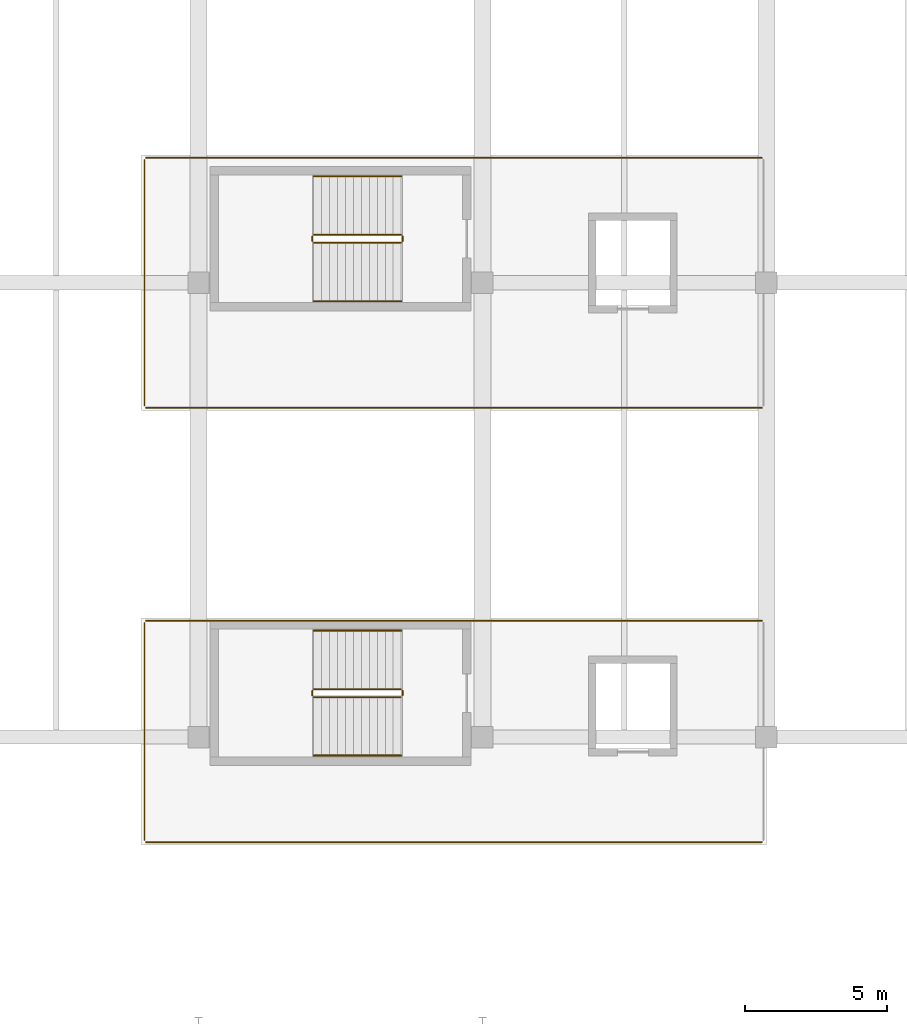
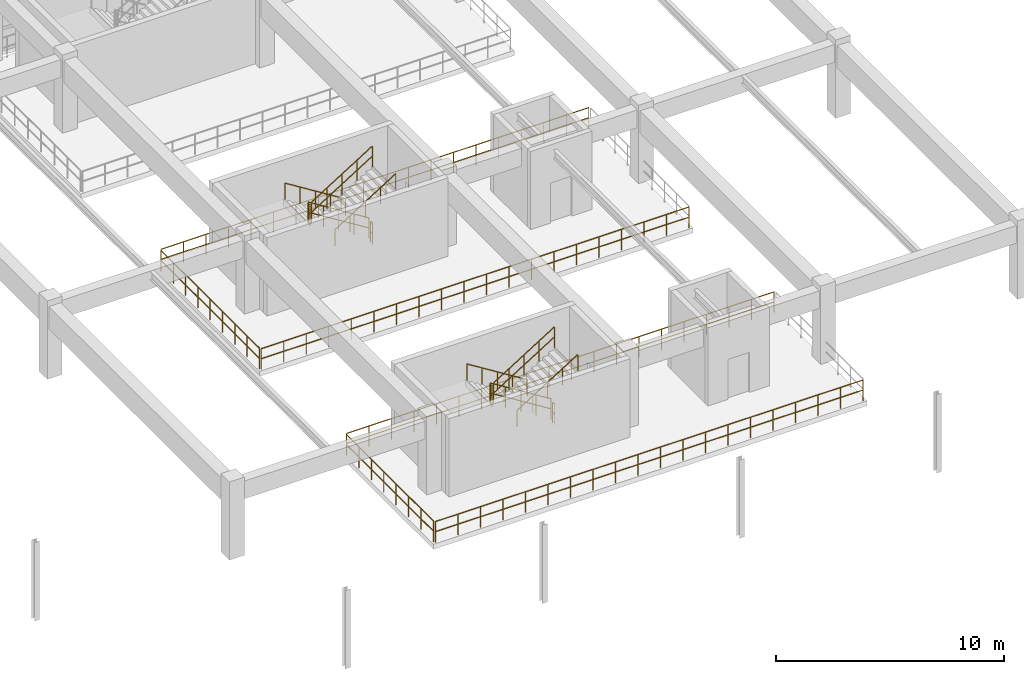
# One storey, part 87 of 100: 18 railings.
"""IFC4 building model written with IfcOpenShell, lengths in metres."""

from ifc_helpers import new_model, si_unit, direction, frame, origin, origin_2d, place, context, subcontext, project, spatial, circle, extrude, material, layer, layer_set, type_object, element, save


model = new_model("IFC4")

# Units and contexts
model_context = context("Model", 3, precision=1e-05, world=origin(), true_north=direction((0.0, 1.0)))
body_context = subcontext(model_context, "Body", "Model", "MODEL_VIEW")
ifc_project = project(units=[si_unit("LENGTHUNIT", "METRE"), si_unit("AREAUNIT", "SQUARE_METRE"), si_unit("VOLUMEUNIT", "CUBIC_METRE"), si_unit("PLANEANGLEUNIT", "RADIAN"), si_unit("MASSUNIT", "GRAM", prefix="KILO")], contexts=[model_context])

# Site, building, storey
site_placement = place(None, origin())
site = spatial("IfcSite", under=ifc_project, at=site_placement, CompositionType="ELEMENT")
building_placement = place(site_placement, origin())
building = spatial("IfcBuilding", under=site, at=building_placement, Name="Kivolera Central Railway Station", CompositionType="ELEMENT")
storey_placement = place(building_placement, frame((0.0, 0.0, 5.39990234375)))
storey = spatial("IfcBuildingStorey", under=building, at=storey_placement, Name="L01", CompositionType="ELEMENT", Elevation=5.39990234375)

# Railings
ifc_material = material(Name="Anodised aluminium", Category="aluminium")
ifc_layer_1 = layer(ifc_material, 0.048095703125, Name="Anodised aluminium")
ifc_layer_set_1 = layer_set([ifc_layer_1], Name="Anodised aluminium")
railing_type_1 = type_object("IfcRailingType", Name="RL-EXT-GUARD-1130", PredefinedType="GUARDRAIL", material=ifc_layer_set_1)
railing_1_placement = place(storey_placement, frame((56.14990234375, 12.300048828125, 0.0)))
element("IfcRailing", 1, at=railing_1_placement, inside=storey, type_object=railing_type_1, Name="L01 Protective Edge Guardrail POD1-S", PredefinedType="GUARDRAIL", context=body_context, shape_type="SweptSolid", body=[
    extrude(circle(Radius=0.02392578125, at=origin_2d()), frame((0.0, 0.0, 1.10595703125), z_axis=(1.0, 0.0, 0.0), x_axis=(0.0, 1.0, 0.0)), (0.0, 0.0, 1.0), 21.7001953125),
    extrude(circle(Radius=0.02392578125, at=origin_2d()), frame((0.0, 0.0, 0.56494140625), z_axis=(1.0, 0.0, 0.0), x_axis=(0.0, 1.0, 0.0)), (0.0, 0.0, 1.0), 21.7001953125),
    extrude(circle(Radius=0.02099609375, at=origin_2d()), origin(), (0.0, 0.0, 1.0), 1.081787109375),
    extrude(circle(Radius=0.02099609375, at=origin_2d()), frame((1.14208984375, 0.0, 0.0)), (0.0, 0.0, 1.0), 1.081787109375),
    extrude(circle(Radius=0.02099609375, at=origin_2d()), frame((2.2841796875, 0.0, 0.0)), (0.0, 0.0, 1.0), 1.081787109375),
    extrude(circle(Radius=0.02099609375, at=origin_2d()), frame((3.42626953125, 0.0, 0.0)), (0.0, 0.0, 1.0), 1.081787109375),
    extrude(circle(Radius=0.02099609375, at=origin_2d()), frame((4.568359375, 0.0, 0.0)), (0.0, 0.0, 1.0), 1.081787109375),
    extrude(circle(Radius=0.02099609375, at=origin_2d()), frame((5.710693359375, 0.0, 0.0)), (0.0, 0.0, 1.0), 1.081787109375),
    extrude(circle(Radius=0.02099609375, at=origin_2d()), frame((6.852783203125, 0.0, 0.0)), (0.0, 0.0, 1.0), 1.081787109375),
    extrude(circle(Radius=0.02099609375, at=origin_2d()), frame((7.994873046875, 0.0, 0.0)), (0.0, 0.0, 1.0), 1.081787109375),
    extrude(circle(Radius=0.02099609375, at=origin_2d()), frame((9.136962890625, 0.0, 0.0)), (0.0, 0.0, 1.0), 1.081787109375),
    extrude(circle(Radius=0.02099609375, at=origin_2d()), frame((10.279052734375, 0.0, 0.0)), (0.0, 0.0, 1.0), 1.081787109375),
    extrude(circle(Radius=0.02099609375, at=origin_2d()), frame((11.421142578125, 0.0, 0.0)), (0.0, 0.0, 1.0), 1.081787109375),
    extrude(circle(Radius=0.02099609375, at=origin_2d()), frame((12.563232421875, 0.0, 0.0)), (0.0, 0.0, 1.0), 1.081787109375),
    extrude(circle(Radius=0.02099609375, at=origin_2d()), frame((13.705322265625, 0.0, 0.0)), (0.0, 0.0, 1.0), 1.081787109375),
    extrude(circle(Radius=0.02099609375, at=origin_2d()), frame((14.847412109375, 0.0, 0.0)), (0.0, 0.0, 1.0), 1.081787109375),
    extrude(circle(Radius=0.02099609375, at=origin_2d()), frame((15.989501953125, 0.0, 0.0)), (0.0, 0.0, 1.0), 1.081787109375),
    extrude(circle(Radius=0.02099609375, at=origin_2d()), frame((17.1318359375, 0.0, 0.0)), (0.0, 0.0, 1.0), 1.081787109375),
    extrude(circle(Radius=0.02099609375, at=origin_2d()), frame((18.27392578125, 0.0, 0.0)), (0.0, 0.0, 1.0), 1.081787109375),
    extrude(circle(Radius=0.02099609375, at=origin_2d()), frame((19.416015625, 0.0, 0.0)), (0.0, 0.0, 1.0), 1.081787109375),
    extrude(circle(Radius=0.02099609375, at=origin_2d()), frame((20.55810546875, 0.0, 0.0)), (0.0, 0.0, 1.0), 1.081787109375),
    extrude(circle(Radius=0.02099609375, at=origin_2d()), frame((21.7001953125, 0.0, 0.0)), (0.0, 0.0, 1.0), 1.081787109375),
])
railing_2_placement = place(storey_placement, frame((56.14990234375, 20.10009765625, 0.0)))
element("IfcRailing", 2, at=railing_2_placement, inside=storey, type_object=railing_type_1, Name="L01 Protective Edge Guardrail POD1-N", PredefinedType="GUARDRAIL", context=body_context, shape_type="SweptSolid", body=[
    extrude(circle(Radius=0.02392578125, at=origin_2d()), frame((0.0, 0.0, 1.10595703125), z_axis=(1.0, 0.0, 0.0), x_axis=(0.0, 1.0, 0.0)), (0.0, 0.0, 1.0), 21.7001953125),
    extrude(circle(Radius=0.02392578125, at=origin_2d()), frame((0.0, 0.0, 0.56494140625), z_axis=(1.0, 0.0, 0.0), x_axis=(0.0, 1.0, 0.0)), (0.0, 0.0, 1.0), 21.7001953125),
    extrude(circle(Radius=0.02099609375, at=origin_2d()), origin(), (0.0, 0.0, 1.0), 1.081787109375),
    extrude(circle(Radius=0.02099609375, at=origin_2d()), frame((1.14208984375, 0.0, 0.0)), (0.0, 0.0, 1.0), 1.081787109375),
    extrude(circle(Radius=0.02099609375, at=origin_2d()), frame((2.2841796875, 0.0, 0.0)), (0.0, 0.0, 1.0), 1.081787109375),
    extrude(circle(Radius=0.02099609375, at=origin_2d()), frame((3.42626953125, 0.0, 0.0)), (0.0, 0.0, 1.0), 1.081787109375),
    extrude(circle(Radius=0.02099609375, at=origin_2d()), frame((4.568359375, 0.0, 0.0)), (0.0, 0.0, 1.0), 1.081787109375),
    extrude(circle(Radius=0.02099609375, at=origin_2d()), frame((5.710693359375, 0.0, 0.0)), (0.0, 0.0, 1.0), 1.081787109375),
    extrude(circle(Radius=0.02099609375, at=origin_2d()), frame((6.852783203125, 0.0, 0.0)), (0.0, 0.0, 1.0), 1.081787109375),
    extrude(circle(Radius=0.02099609375, at=origin_2d()), frame((7.994873046875, 0.0, 0.0)), (0.0, 0.0, 1.0), 1.081787109375),
    extrude(circle(Radius=0.02099609375, at=origin_2d()), frame((9.136962890625, 0.0, 0.0)), (0.0, 0.0, 1.0), 1.081787109375),
    extrude(circle(Radius=0.02099609375, at=origin_2d()), frame((10.279052734375, 0.0, 0.0)), (0.0, 0.0, 1.0), 1.081787109375),
    extrude(circle(Radius=0.02099609375, at=origin_2d()), frame((11.421142578125, 0.0, 0.0)), (0.0, 0.0, 1.0), 1.081787109375),
    extrude(circle(Radius=0.02099609375, at=origin_2d()), frame((12.563232421875, 0.0, 0.0)), (0.0, 0.0, 1.0), 1.081787109375),
    extrude(circle(Radius=0.02099609375, at=origin_2d()), frame((13.705322265625, 0.0, 0.0)), (0.0, 0.0, 1.0), 1.081787109375),
    extrude(circle(Radius=0.02099609375, at=origin_2d()), frame((14.847412109375, 0.0, 0.0)), (0.0, 0.0, 1.0), 1.081787109375),
    extrude(circle(Radius=0.02099609375, at=origin_2d()), frame((15.989501953125, 0.0, 0.0)), (0.0, 0.0, 1.0), 1.081787109375),
    extrude(circle(Radius=0.02099609375, at=origin_2d()), frame((17.1318359375, 0.0, 0.0)), (0.0, 0.0, 1.0), 1.081787109375),
    extrude(circle(Radius=0.02099609375, at=origin_2d()), frame((18.27392578125, 0.0, 0.0)), (0.0, 0.0, 1.0), 1.081787109375),
    extrude(circle(Radius=0.02099609375, at=origin_2d()), frame((19.416015625, 0.0, 0.0)), (0.0, 0.0, 1.0), 1.081787109375),
    extrude(circle(Radius=0.02099609375, at=origin_2d()), frame((20.55810546875, 0.0, 0.0)), (0.0, 0.0, 1.0), 1.081787109375),
    extrude(circle(Radius=0.02099609375, at=origin_2d()), frame((21.7001953125, 0.0, 0.0)), (0.0, 0.0, 1.0), 1.081787109375),
])
railing_3_placement = place(storey_placement, frame((56.10009765625, 12.3798828125, 0.0)))
element("IfcRailing", 3, at=railing_3_placement, inside=storey, type_object=railing_type_1, Name="L01 Protective Edge Guardrail POD1-W", PredefinedType="GUARDRAIL", context=body_context, shape_type="SweptSolid", body=[
    extrude(circle(Radius=0.02392578125, at=origin_2d()), frame((0.0, 0.0, 1.10595703125), z_axis=(0.0, 1.0, 0.0), x_axis=(-1.0, 0.0, 0.0)), (0.0, 0.0, 1.0), 7.64013671875),
    extrude(circle(Radius=0.02392578125, at=origin_2d()), frame((0.0, 0.0, 0.56494140625), z_axis=(0.0, 1.0, 0.0), x_axis=(-1.0, 0.0, 0.0)), (0.0, 0.0, 1.0), 7.64013671875),
    extrude(circle(Radius=0.02099609375, at=origin_2d()), origin(), (0.0, 0.0, 1.0), 1.081787109375),
    extrude(circle(Radius=0.02099609375, at=origin_2d()), frame((0.0, 1.091552734375, 0.0)), (0.0, 0.0, 1.0), 1.081787109375),
    extrude(circle(Radius=0.02099609375, at=origin_2d()), frame((0.0, 2.182861328125, 0.0)), (0.0, 0.0, 1.0), 1.081787109375),
    extrude(circle(Radius=0.02099609375, at=origin_2d()), frame((0.0, 3.2744140625, 0.0)), (0.0, 0.0, 1.0), 1.081787109375),
    extrude(circle(Radius=0.02099609375, at=origin_2d()), frame((0.0, 4.36572265625, 0.0)), (0.0, 0.0, 1.0), 1.081787109375),
    extrude(circle(Radius=0.02099609375, at=origin_2d()), frame((0.0, 5.457275390625, 0.0)), (0.0, 0.0, 1.0), 1.081787109375),
    extrude(circle(Radius=0.02099609375, at=origin_2d()), frame((0.0, 6.548583984375, 0.0)), (0.0, 0.0, 1.0), 1.081787109375),
    extrude(circle(Radius=0.02099609375, at=origin_2d()), frame((0.0, 7.64013671875, 0.0)), (0.0, 0.0, 1.0), 1.081787109375),
])
railing_4_placement = place(storey_placement, frame((56.14990234375, 27.60009765625, 0.0)))
element("IfcRailing", 4, at=railing_4_placement, inside=storey, type_object=railing_type_1, Name="L01 Protective Edge Guardrail POD2-S", PredefinedType="GUARDRAIL", context=body_context, shape_type="SweptSolid", body=[
    extrude(circle(Radius=0.02392578125, at=origin_2d()), frame((0.0, 0.0, 1.10595703125), z_axis=(1.0, 0.0, 0.0), x_axis=(0.0, 1.0, 0.0)), (0.0, 0.0, 1.0), 21.7001953125),
    extrude(circle(Radius=0.02392578125, at=origin_2d()), frame((0.0, 0.0, 0.56494140625), z_axis=(1.0, 0.0, 0.0), x_axis=(0.0, 1.0, 0.0)), (0.0, 0.0, 1.0), 21.7001953125),
    extrude(circle(Radius=0.02099609375, at=origin_2d()), origin(), (0.0, 0.0, 1.0), 1.081787109375),
    extrude(circle(Radius=0.02099609375, at=origin_2d()), frame((1.14208984375, 0.0, 0.0)), (0.0, 0.0, 1.0), 1.081787109375),
    extrude(circle(Radius=0.02099609375, at=origin_2d()), frame((2.2841796875, 0.0, 0.0)), (0.0, 0.0, 1.0), 1.081787109375),
    extrude(circle(Radius=0.02099609375, at=origin_2d()), frame((3.42626953125, 0.0, 0.0)), (0.0, 0.0, 1.0), 1.081787109375),
    extrude(circle(Radius=0.02099609375, at=origin_2d()), frame((4.568359375, 0.0, 0.0)), (0.0, 0.0, 1.0), 1.081787109375),
    extrude(circle(Radius=0.02099609375, at=origin_2d()), frame((5.710693359375, 0.0, 0.0)), (0.0, 0.0, 1.0), 1.081787109375),
    extrude(circle(Radius=0.02099609375, at=origin_2d()), frame((6.852783203125, 0.0, 0.0)), (0.0, 0.0, 1.0), 1.081787109375),
    extrude(circle(Radius=0.02099609375, at=origin_2d()), frame((7.994873046875, 0.0, 0.0)), (0.0, 0.0, 1.0), 1.081787109375),
    extrude(circle(Radius=0.02099609375, at=origin_2d()), frame((9.136962890625, 0.0, 0.0)), (0.0, 0.0, 1.0), 1.081787109375),
    extrude(circle(Radius=0.02099609375, at=origin_2d()), frame((10.279052734375, 0.0, 0.0)), (0.0, 0.0, 1.0), 1.081787109375),
    extrude(circle(Radius=0.02099609375, at=origin_2d()), frame((11.421142578125, 0.0, 0.0)), (0.0, 0.0, 1.0), 1.081787109375),
    extrude(circle(Radius=0.02099609375, at=origin_2d()), frame((12.563232421875, 0.0, 0.0)), (0.0, 0.0, 1.0), 1.081787109375),
    extrude(circle(Radius=0.02099609375, at=origin_2d()), frame((13.705322265625, 0.0, 0.0)), (0.0, 0.0, 1.0), 1.081787109375),
    extrude(circle(Radius=0.02099609375, at=origin_2d()), frame((14.847412109375, 0.0, 0.0)), (0.0, 0.0, 1.0), 1.081787109375),
    extrude(circle(Radius=0.02099609375, at=origin_2d()), frame((15.989501953125, 0.0, 0.0)), (0.0, 0.0, 1.0), 1.081787109375),
    extrude(circle(Radius=0.02099609375, at=origin_2d()), frame((17.1318359375, 0.0, 0.0)), (0.0, 0.0, 1.0), 1.081787109375),
    extrude(circle(Radius=0.02099609375, at=origin_2d()), frame((18.27392578125, 0.0, 0.0)), (0.0, 0.0, 1.0), 1.081787109375),
    extrude(circle(Radius=0.02099609375, at=origin_2d()), frame((19.416015625, 0.0, 0.0)), (0.0, 0.0, 1.0), 1.081787109375),
    extrude(circle(Radius=0.02099609375, at=origin_2d()), frame((20.55810546875, 0.0, 0.0)), (0.0, 0.0, 1.0), 1.081787109375),
    extrude(circle(Radius=0.02099609375, at=origin_2d()), frame((21.7001953125, 0.0, 0.0)), (0.0, 0.0, 1.0), 1.081787109375),
])
railing_5_placement = place(storey_placement, frame((56.14990234375, 36.39990234375, 0.0)))
element("IfcRailing", 5, at=railing_5_placement, inside=storey, type_object=railing_type_1, Name="L01 Protective Edge Guardrail POD2-N", PredefinedType="GUARDRAIL", context=body_context, shape_type="SweptSolid", body=[
    extrude(circle(Radius=0.02392578125, at=origin_2d()), frame((0.0, 0.0, 1.10595703125), z_axis=(1.0, 0.0, 0.0), x_axis=(0.0, 1.0, 0.0)), (0.0, 0.0, 1.0), 21.7001953125),
    extrude(circle(Radius=0.02392578125, at=origin_2d()), frame((0.0, 0.0, 0.56494140625), z_axis=(1.0, 0.0, 0.0), x_axis=(0.0, 1.0, 0.0)), (0.0, 0.0, 1.0), 21.7001953125),
    extrude(circle(Radius=0.02099609375, at=origin_2d()), origin(), (0.0, 0.0, 1.0), 1.081787109375),
    extrude(circle(Radius=0.02099609375, at=origin_2d()), frame((1.14208984375, 0.0, 0.0)), (0.0, 0.0, 1.0), 1.081787109375),
    extrude(circle(Radius=0.02099609375, at=origin_2d()), frame((2.2841796875, 0.0, 0.0)), (0.0, 0.0, 1.0), 1.081787109375),
    extrude(circle(Radius=0.02099609375, at=origin_2d()), frame((3.42626953125, 0.0, 0.0)), (0.0, 0.0, 1.0), 1.081787109375),
    extrude(circle(Radius=0.02099609375, at=origin_2d()), frame((4.568359375, 0.0, 0.0)), (0.0, 0.0, 1.0), 1.081787109375),
    extrude(circle(Radius=0.02099609375, at=origin_2d()), frame((5.710693359375, 0.0, 0.0)), (0.0, 0.0, 1.0), 1.081787109375),
    extrude(circle(Radius=0.02099609375, at=origin_2d()), frame((6.852783203125, 0.0, 0.0)), (0.0, 0.0, 1.0), 1.081787109375),
    extrude(circle(Radius=0.02099609375, at=origin_2d()), frame((7.994873046875, 0.0, 0.0)), (0.0, 0.0, 1.0), 1.081787109375),
    extrude(circle(Radius=0.02099609375, at=origin_2d()), frame((9.136962890625, 0.0, 0.0)), (0.0, 0.0, 1.0), 1.081787109375),
    extrude(circle(Radius=0.02099609375, at=origin_2d()), frame((10.279052734375, 0.0, 0.0)), (0.0, 0.0, 1.0), 1.081787109375),
    extrude(circle(Radius=0.02099609375, at=origin_2d()), frame((11.421142578125, 0.0, 0.0)), (0.0, 0.0, 1.0), 1.081787109375),
    extrude(circle(Radius=0.02099609375, at=origin_2d()), frame((12.563232421875, 0.0, 0.0)), (0.0, 0.0, 1.0), 1.081787109375),
    extrude(circle(Radius=0.02099609375, at=origin_2d()), frame((13.705322265625, 0.0, 0.0)), (0.0, 0.0, 1.0), 1.081787109375),
    extrude(circle(Radius=0.02099609375, at=origin_2d()), frame((14.847412109375, 0.0, 0.0)), (0.0, 0.0, 1.0), 1.081787109375),
    extrude(circle(Radius=0.02099609375, at=origin_2d()), frame((15.989501953125, 0.0, 0.0)), (0.0, 0.0, 1.0), 1.081787109375),
    extrude(circle(Radius=0.02099609375, at=origin_2d()), frame((17.1318359375, 0.0, 0.0)), (0.0, 0.0, 1.0), 1.081787109375),
    extrude(circle(Radius=0.02099609375, at=origin_2d()), frame((18.27392578125, 0.0, 0.0)), (0.0, 0.0, 1.0), 1.081787109375),
    extrude(circle(Radius=0.02099609375, at=origin_2d()), frame((19.416015625, 0.0, 0.0)), (0.0, 0.0, 1.0), 1.081787109375),
    extrude(circle(Radius=0.02099609375, at=origin_2d()), frame((20.55810546875, 0.0, 0.0)), (0.0, 0.0, 1.0), 1.081787109375),
    extrude(circle(Radius=0.02099609375, at=origin_2d()), frame((21.7001953125, 0.0, 0.0)), (0.0, 0.0, 1.0), 1.081787109375),
])
railing_6_placement = place(storey_placement, frame((56.10009765625, 27.679931640625, 0.0)))
element("IfcRailing", 6, at=railing_6_placement, inside=storey, type_object=railing_type_1, Name="L01 Protective Edge Guardrail POD2-W", PredefinedType="GUARDRAIL", context=body_context, shape_type="SweptSolid", body=[
    extrude(circle(Radius=0.02392578125, at=origin_2d()), frame((0.0, 0.0, 1.10595703125), z_axis=(0.0, 1.0, 0.0), x_axis=(-1.0, 0.0, 0.0)), (0.0, 0.0, 1.0), 8.64013671875),
    extrude(circle(Radius=0.02392578125, at=origin_2d()), frame((0.0, 0.0, 0.56494140625), z_axis=(0.0, 1.0, 0.0), x_axis=(-1.0, 0.0, 0.0)), (0.0, 0.0, 1.0), 8.64013671875),
    extrude(circle(Radius=0.02099609375, at=origin_2d()), origin(), (0.0, 0.0, 1.0), 1.081787109375),
    extrude(circle(Radius=0.02099609375, at=origin_2d()), frame((0.0, 1.080078125, 0.0)), (0.0, 0.0, 1.0), 1.081787109375),
    extrude(circle(Radius=0.02099609375, at=origin_2d()), frame((0.0, 2.16015625, 0.0)), (0.0, 0.0, 1.0), 1.081787109375),
    extrude(circle(Radius=0.02099609375, at=origin_2d()), frame((0.0, 3.239990234375, 0.0)), (0.0, 0.0, 1.0), 1.081787109375),
    extrude(circle(Radius=0.02099609375, at=origin_2d()), frame((0.0, 4.320068359375, 0.0)), (0.0, 0.0, 1.0), 1.081787109375),
    extrude(circle(Radius=0.02099609375, at=origin_2d()), frame((0.0, 5.400146484375, 0.0)), (0.0, 0.0, 1.0), 1.081787109375),
    extrude(circle(Radius=0.02099609375, at=origin_2d()), frame((0.0, 6.47998046875, 0.0)), (0.0, 0.0, 1.0), 1.081787109375),
    extrude(circle(Radius=0.02099609375, at=origin_2d()), frame((0.0, 7.56005859375, 0.0)), (0.0, 0.0, 1.0), 1.081787109375),
    extrude(circle(Radius=0.02099609375, at=origin_2d()), frame((0.0, 8.64013671875, 0.0)), (0.0, 0.0, 1.0), 1.081787109375),
])
ifc_layer_2 = layer(ifc_material, 0.048095703125, Name="Anodised aluminium")
ifc_layer_set_2 = layer_set([ifc_layer_2], Name="Anodised aluminium")
railing_type_2 = type_object("IfcRailingType", Name="RL-STAIR-GUARD", PredefinedType="GUARDRAIL", material=ifc_layer_set_2)
railing_7_placement = place(storey_placement, frame((65.139892578125, 33.68994140625, 0.175048828125)))
element("IfcRailing", 7, at=railing_7_placement, inside=storey, type_object=railing_type_2, Name="L01 ST9 stair guard 1", PredefinedType="GUARDRAIL", context=body_context, shape_type="SweptSolid", body=[
    extrude(circle(Radius=0.02392578125, at=origin_2d()), frame((0.0, 0.0, 1.10595703125), z_axis=(-0.847979421464, 0.0, 0.530029150871), x_axis=(0.0, -1.0, 0.0)), (0.0, 0.0, 1.0), 3.632080078125),
    extrude(circle(Radius=0.02392578125, at=origin_2d()), frame((0.0, 0.0, 0.56494140625), z_axis=(-0.847979421464, 0.0, 0.530029150871), x_axis=(0.0, -1.0, 0.0)), (0.0, 0.0, 1.0), 3.632080078125),
    extrude(circle(Radius=0.02099609375, at=origin_2d()), origin(), (0.0, 0.0, 1.0), 1.081787109375),
    extrude(circle(Radius=0.02099609375, at=origin_2d()), frame((-0.77001953125, 0.0, 0.481201171875)), (0.0, 0.0, 1.0), 1.081787109375),
    extrude(circle(Radius=0.02099609375, at=origin_2d()), frame((-1.5400390625, 0.0, 0.96240234375)), (0.0, 0.0, 1.0), 1.081787109375),
    extrude(circle(Radius=0.02099609375, at=origin_2d()), frame((-2.309814453125, 0.0, 1.44384765625)), (0.0, 0.0, 1.0), 1.081787109375),
    extrude(circle(Radius=0.02099609375, at=origin_2d()), frame((-3.079833984375, 0.0, 1.925048828125)), (0.0, 0.0, 1.0), 1.081787109375),
])
railing_8_placement = place(storey_placement, frame((62.010009765625, 33.639892578125, 2.10009765625)))
element("IfcRailing", 8, at=railing_8_placement, inside=storey, type_object=railing_type_2, Name="L01 ST9 stair guard 2", PredefinedType="GUARDRAIL", context=body_context, shape_type="SweptSolid", body=[
    extrude(circle(Radius=0.02392578125, at=origin_2d()), frame((0.0, 0.0, 1.10595703125), z_axis=(0.0, -1.0, 0.0), x_axis=(1.0, 0.0, 0.0)), (0.0, 0.0, 1.0), 0.179931640625),
    extrude(circle(Radius=0.02392578125, at=origin_2d()), frame((0.0, 0.0, 0.56494140625), z_axis=(0.0, -1.0, 0.0), x_axis=(1.0, 0.0, 0.0)), (0.0, 0.0, 1.0), 0.179931640625),
    extrude(circle(Radius=0.02099609375, at=origin_2d()), origin(), (0.0, 0.0, 1.0), 1.081787109375),
    extrude(circle(Radius=0.02099609375, at=origin_2d()), frame((0.0, -0.179931640625, 0.0)), (0.0, 0.0, 1.0), 1.081787109375),
])
railing_9_placement = place(storey_placement, frame((62.06005859375, 33.409912109375, 2.275146484375)))
element("IfcRailing", 9, at=railing_9_placement, inside=storey, type_object=railing_type_2, Name="L01 ST9 stair guard 3", PredefinedType="GUARDRAIL", context=body_context, shape_type="SweptSolid", body=[
    extrude(circle(Radius=0.02392578125, at=origin_2d()), frame((0.0, 0.0, 1.10595703125), z_axis=(0.847979421464, 0.0, 0.530029150871), x_axis=(0.0, 1.0, 0.0)), (0.0, 0.0, 1.0), 3.632080078125),
    extrude(circle(Radius=0.02392578125, at=origin_2d()), frame((0.0, 0.0, 0.56494140625), z_axis=(0.847979421464, 0.0, 0.530029150871), x_axis=(0.0, 1.0, 0.0)), (0.0, 0.0, 1.0), 3.632080078125),
    extrude(circle(Radius=0.02099609375, at=origin_2d()), origin(), (0.0, 0.0, 1.0), 1.081787109375),
    extrude(circle(Radius=0.02099609375, at=origin_2d()), frame((0.77001953125, 0.0, 0.481201171875)), (0.0, 0.0, 1.0), 1.081787109375),
    extrude(circle(Radius=0.02099609375, at=origin_2d()), frame((1.5400390625, 0.0, 0.96240234375)), (0.0, 0.0, 1.0), 1.081787109375),
    extrude(circle(Radius=0.02099609375, at=origin_2d()), frame((2.309814453125, 0.0, 1.44384765625)), (0.0, 0.0, 1.0), 1.081787109375),
    extrude(circle(Radius=0.02099609375, at=origin_2d()), frame((3.079833984375, 0.0, 1.925048828125)), (0.0, 0.0, 1.0), 1.081787109375),
])
railing_10_placement = place(storey_placement, frame((65.18994140625, 33.639892578125, 0.0)))
element("IfcRailing", 10, at=railing_10_placement, inside=storey, type_object=railing_type_2, Name="L01 ST9 stair guard 4", PredefinedType="GUARDRAIL", context=body_context, shape_type="SweptSolid", body=[
    extrude(circle(Radius=0.02392578125, at=origin_2d()), frame((0.0, 0.0, 1.10595703125), z_axis=(0.0, -1.0, 0.0), x_axis=(1.0, 0.0, 0.0)), (0.0, 0.0, 1.0), 0.179931640625),
    extrude(circle(Radius=0.02392578125, at=origin_2d()), frame((0.0, 0.0, 0.56494140625), z_axis=(0.0, -1.0, 0.0), x_axis=(1.0, 0.0, 0.0)), (0.0, 0.0, 1.0), 0.179931640625),
    extrude(circle(Radius=0.02099609375, at=origin_2d()), origin(), (0.0, 0.0, 1.0), 1.081787109375),
    extrude(circle(Radius=0.02099609375, at=origin_2d()), frame((0.0, -0.179931640625, 0.0)), (0.0, 0.0, 1.0), 1.081787109375),
])
railing_11_placement = place(storey_placement, frame((65.139892578125, 17.68994140625, 0.175048828125)))
element("IfcRailing", 11, at=railing_11_placement, inside=storey, type_object=railing_type_2, Name="L01 ST10 stair guard 1", PredefinedType="GUARDRAIL", context=body_context, shape_type="SweptSolid", body=[
    extrude(circle(Radius=0.02392578125, at=origin_2d()), frame((0.0, 0.0, 1.10595703125), z_axis=(-0.847979421464, 0.0, 0.530029150871), x_axis=(0.0, -1.0, 0.0)), (0.0, 0.0, 1.0), 3.632080078125),
    extrude(circle(Radius=0.02392578125, at=origin_2d()), frame((0.0, 0.0, 0.56494140625), z_axis=(-0.847979421464, 0.0, 0.530029150871), x_axis=(0.0, -1.0, 0.0)), (0.0, 0.0, 1.0), 3.632080078125),
    extrude(circle(Radius=0.02099609375, at=origin_2d()), origin(), (0.0, 0.0, 1.0), 1.081787109375),
    extrude(circle(Radius=0.02099609375, at=origin_2d()), frame((-0.77001953125, 0.0, 0.481201171875)), (0.0, 0.0, 1.0), 1.081787109375),
    extrude(circle(Radius=0.02099609375, at=origin_2d()), frame((-1.5400390625, 0.0, 0.96240234375)), (0.0, 0.0, 1.0), 1.081787109375),
    extrude(circle(Radius=0.02099609375, at=origin_2d()), frame((-2.309814453125, 0.0, 1.44384765625)), (0.0, 0.0, 1.0), 1.081787109375),
    extrude(circle(Radius=0.02099609375, at=origin_2d()), frame((-3.079833984375, 0.0, 1.925048828125)), (0.0, 0.0, 1.0), 1.081787109375),
])
railing_12_placement = place(storey_placement, frame((62.010009765625, 17.639892578125, 2.10009765625)))
element("IfcRailing", 12, at=railing_12_placement, inside=storey, type_object=railing_type_2, Name="L01 ST10 stair guard 2", PredefinedType="GUARDRAIL", context=body_context, shape_type="SweptSolid", body=[
    extrude(circle(Radius=0.02392578125, at=origin_2d()), frame((0.0, 0.0, 1.10595703125), z_axis=(0.0, -1.0, 0.0), x_axis=(1.0, 0.0, 0.0)), (0.0, 0.0, 1.0), 0.179931640625),
    extrude(circle(Radius=0.02392578125, at=origin_2d()), frame((0.0, 0.0, 0.56494140625), z_axis=(0.0, -1.0, 0.0), x_axis=(1.0, 0.0, 0.0)), (0.0, 0.0, 1.0), 0.179931640625),
    extrude(circle(Radius=0.02099609375, at=origin_2d()), origin(), (0.0, 0.0, 1.0), 1.081787109375),
    extrude(circle(Radius=0.02099609375, at=origin_2d()), frame((0.0, -0.179931640625, 0.0)), (0.0, 0.0, 1.0), 1.081787109375),
])
railing_13_placement = place(storey_placement, frame((62.06005859375, 17.409912109375, 2.275146484375)))
element("IfcRailing", 13, at=railing_13_placement, inside=storey, type_object=railing_type_2, Name="L01 ST10 stair guard 3", PredefinedType="GUARDRAIL", context=body_context, shape_type="SweptSolid", body=[
    extrude(circle(Radius=0.02392578125, at=origin_2d()), frame((0.0, 0.0, 1.10595703125), z_axis=(0.847979421464, 0.0, 0.530029150871), x_axis=(0.0, 1.0, 0.0)), (0.0, 0.0, 1.0), 3.632080078125),
    extrude(circle(Radius=0.02392578125, at=origin_2d()), frame((0.0, 0.0, 0.56494140625), z_axis=(0.847979421464, 0.0, 0.530029150871), x_axis=(0.0, 1.0, 0.0)), (0.0, 0.0, 1.0), 3.632080078125),
    extrude(circle(Radius=0.02099609375, at=origin_2d()), origin(), (0.0, 0.0, 1.0), 1.081787109375),
    extrude(circle(Radius=0.02099609375, at=origin_2d()), frame((0.77001953125, 0.0, 0.481201171875)), (0.0, 0.0, 1.0), 1.081787109375),
    extrude(circle(Radius=0.02099609375, at=origin_2d()), frame((1.5400390625, 0.0, 0.96240234375)), (0.0, 0.0, 1.0), 1.081787109375),
    extrude(circle(Radius=0.02099609375, at=origin_2d()), frame((2.309814453125, 0.0, 1.44384765625)), (0.0, 0.0, 1.0), 1.081787109375),
    extrude(circle(Radius=0.02099609375, at=origin_2d()), frame((3.079833984375, 0.0, 1.925048828125)), (0.0, 0.0, 1.0), 1.081787109375),
])
railing_14_placement = place(storey_placement, frame((65.18994140625, 17.639892578125, 0.0)))
element("IfcRailing", 14, at=railing_14_placement, inside=storey, type_object=railing_type_2, Name="L01 ST10 stair guard 4", PredefinedType="GUARDRAIL", context=body_context, shape_type="SweptSolid", body=[
    extrude(circle(Radius=0.02392578125, at=origin_2d()), frame((0.0, 0.0, 1.10595703125), z_axis=(0.0, -1.0, 0.0), x_axis=(1.0, 0.0, 0.0)), (0.0, 0.0, 1.0), 0.179931640625),
    extrude(circle(Radius=0.02392578125, at=origin_2d()), frame((0.0, 0.0, 0.56494140625), z_axis=(0.0, -1.0, 0.0), x_axis=(1.0, 0.0, 0.0)), (0.0, 0.0, 1.0), 0.179931640625),
    extrude(circle(Radius=0.02099609375, at=origin_2d()), origin(), (0.0, 0.0, 1.0), 1.081787109375),
    extrude(circle(Radius=0.02099609375, at=origin_2d()), frame((0.0, -0.179931640625, 0.0)), (0.0, 0.0, 1.0), 1.081787109375),
])
ifc_layer_3 = layer(ifc_material, 0.048095703125, Name="Anodised aluminium")
ifc_layer_set_3 = layer_set([ifc_layer_3], Name="Anodised aluminium")
railing_type_3 = type_object("IfcRailingType", Name="RL-STAIR-HAND", PredefinedType="HANDRAIL", material=ifc_layer_set_3)
railing_15_placement = place(storey_placement, frame((65.139892578125, 35.75, 0.175048828125)))
element("IfcRailing", 15, at=railing_15_placement, inside=storey, type_object=railing_type_3, Name="L01 ST9 stair handrail 1", PredefinedType="HANDRAIL", context=body_context, shape_type="SweptSolid", body=[
    extrude(circle(Radius=0.02392578125, at=origin_2d()), frame((0.0, 0.0, 0.8759765625), z_axis=(-0.847979421464, 0.0, 0.530029150871), x_axis=(0.0, -1.0, 0.0)), (0.0, 0.0, 1.0), 3.632080078125),
    extrude(circle(Radius=0.02099609375, at=origin_2d()), origin(), (0.0, 0.0, 1.0), 0.851806640625),
    extrude(circle(Radius=0.02099609375, at=origin_2d()), frame((-0.77001953125, 0.0, 0.481201171875)), (0.0, 0.0, 1.0), 0.851806640625),
    extrude(circle(Radius=0.02099609375, at=origin_2d()), frame((-1.5400390625, 0.0, 0.96240234375)), (0.0, 0.0, 1.0), 0.851806640625),
    extrude(circle(Radius=0.02099609375, at=origin_2d()), frame((-2.309814453125, 0.0, 1.44384765625)), (0.0, 0.0, 1.0), 0.851806640625),
    extrude(circle(Radius=0.02099609375, at=origin_2d()), frame((-3.079833984375, 0.0, 1.925048828125)), (0.0, 0.0, 1.0), 0.851806640625),
])
railing_16_placement = place(storey_placement, frame((62.06005859375, 31.35009765625, 2.275146484375)))
element("IfcRailing", 16, at=railing_16_placement, inside=storey, type_object=railing_type_3, Name="L01 ST9 stair handrail 2", PredefinedType="HANDRAIL", context=body_context, shape_type="SweptSolid", body=[
    extrude(circle(Radius=0.02392578125, at=origin_2d()), frame((0.0, 0.0, 0.8759765625), z_axis=(0.847979421464, 0.0, 0.530029150871), x_axis=(0.0, 1.0, 0.0)), (0.0, 0.0, 1.0), 3.632080078125),
    extrude(circle(Radius=0.02099609375, at=origin_2d()), origin(), (0.0, 0.0, 1.0), 0.851806640625),
    extrude(circle(Radius=0.02099609375, at=origin_2d()), frame((0.77001953125, 0.0, 0.481201171875)), (0.0, 0.0, 1.0), 0.851806640625),
    extrude(circle(Radius=0.02099609375, at=origin_2d()), frame((1.5400390625, 0.0, 0.96240234375)), (0.0, 0.0, 1.0), 0.851806640625),
    extrude(circle(Radius=0.02099609375, at=origin_2d()), frame((2.309814453125, 0.0, 1.44384765625)), (0.0, 0.0, 1.0), 0.851806640625),
    extrude(circle(Radius=0.02099609375, at=origin_2d()), frame((3.079833984375, 0.0, 1.925048828125)), (0.0, 0.0, 1.0), 0.851806640625),
])
railing_17_placement = place(storey_placement, frame((65.139892578125, 19.75, 0.175048828125)))
element("IfcRailing", 17, at=railing_17_placement, inside=storey, type_object=railing_type_3, Name="L01 ST10 stair handrail 1", PredefinedType="HANDRAIL", context=body_context, shape_type="SweptSolid", body=[
    extrude(circle(Radius=0.02392578125, at=origin_2d()), frame((0.0, 0.0, 0.8759765625), z_axis=(-0.847979421464, 0.0, 0.530029150871), x_axis=(0.0, -1.0, 0.0)), (0.0, 0.0, 1.0), 3.632080078125),
    extrude(circle(Radius=0.02099609375, at=origin_2d()), origin(), (0.0, 0.0, 1.0), 0.851806640625),
    extrude(circle(Radius=0.02099609375, at=origin_2d()), frame((-0.77001953125, 0.0, 0.481201171875)), (0.0, 0.0, 1.0), 0.851806640625),
    extrude(circle(Radius=0.02099609375, at=origin_2d()), frame((-1.5400390625, 0.0, 0.96240234375)), (0.0, 0.0, 1.0), 0.851806640625),
    extrude(circle(Radius=0.02099609375, at=origin_2d()), frame((-2.309814453125, 0.0, 1.44384765625)), (0.0, 0.0, 1.0), 0.851806640625),
    extrude(circle(Radius=0.02099609375, at=origin_2d()), frame((-3.079833984375, 0.0, 1.925048828125)), (0.0, 0.0, 1.0), 0.851806640625),
])
railing_18_placement = place(storey_placement, frame((62.06005859375, 15.35009765625, 2.275146484375)))
element("IfcRailing", 18, at=railing_18_placement, inside=storey, type_object=railing_type_3, Name="L01 ST10 stair handrail 2", PredefinedType="HANDRAIL", context=body_context, shape_type="SweptSolid", body=[
    extrude(circle(Radius=0.02392578125, at=origin_2d()), frame((0.0, 0.0, 0.8759765625), z_axis=(0.847979421464, 0.0, 0.530029150871), x_axis=(0.0, 1.0, 0.0)), (0.0, 0.0, 1.0), 3.632080078125),
    extrude(circle(Radius=0.02099609375, at=origin_2d()), origin(), (0.0, 0.0, 1.0), 0.851806640625),
    extrude(circle(Radius=0.02099609375, at=origin_2d()), frame((0.77001953125, 0.0, 0.481201171875)), (0.0, 0.0, 1.0), 0.851806640625),
    extrude(circle(Radius=0.02099609375, at=origin_2d()), frame((1.5400390625, 0.0, 0.96240234375)), (0.0, 0.0, 1.0), 0.851806640625),
    extrude(circle(Radius=0.02099609375, at=origin_2d()), frame((2.309814453125, 0.0, 1.44384765625)), (0.0, 0.0, 1.0), 0.851806640625),
    extrude(circle(Radius=0.02099609375, at=origin_2d()), frame((3.079833984375, 0.0, 1.925048828125)), (0.0, 0.0, 1.0), 0.851806640625),
])

save(model, "model.ifc")
